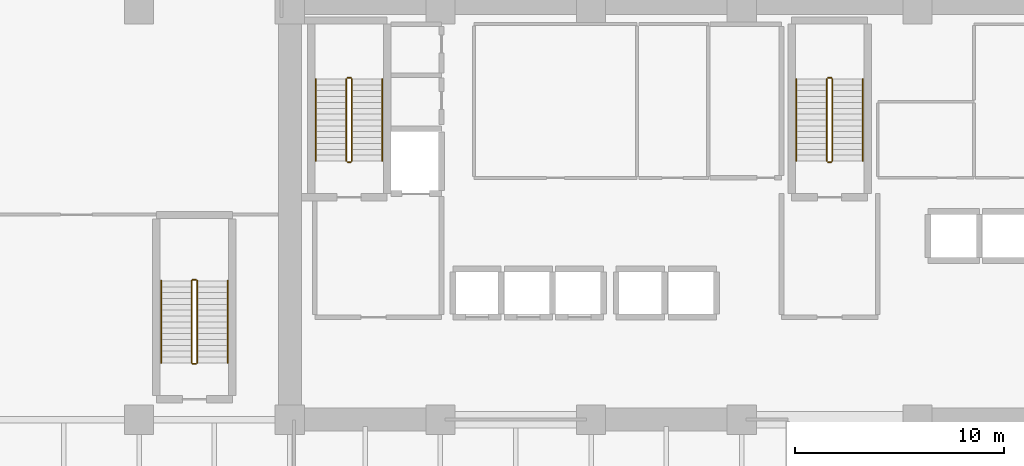
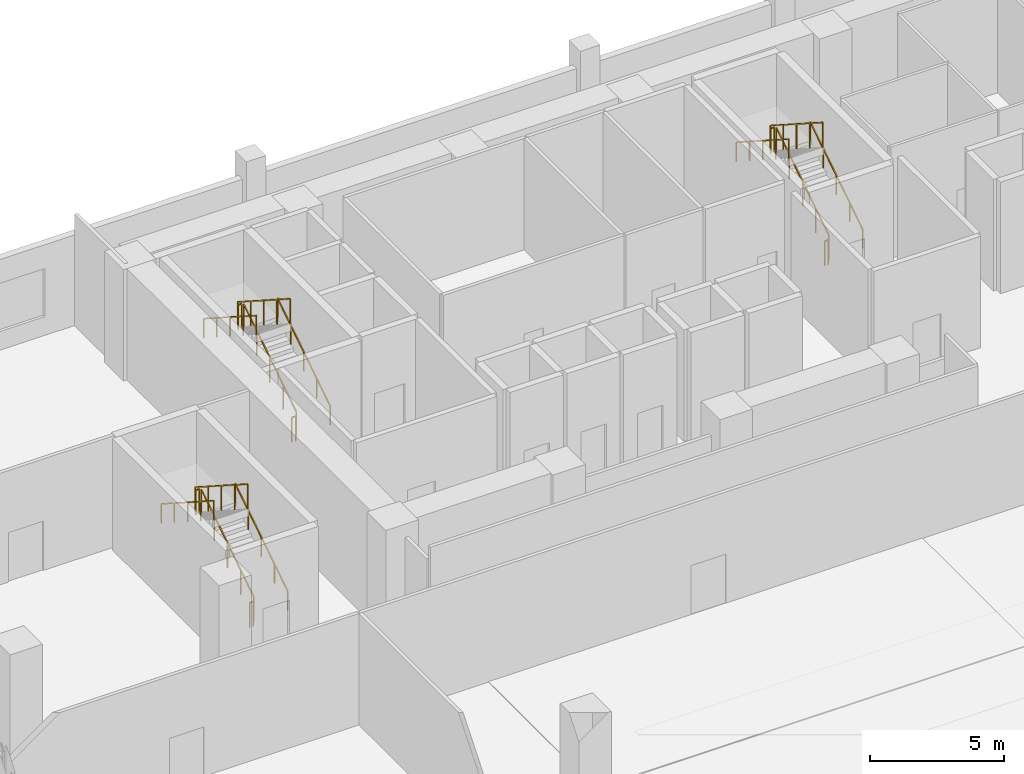
# One storey, part 24 of 25: 18 railings.
"""IFC4 building model written with IfcOpenShell, lengths in metres."""

from ifc_helpers import new_model, si_unit, direction, frame, origin, origin_2d, place, context, subcontext, project, spatial, rectangle, extrude, material, type_object, element, save


model = new_model("IFC4")

# Units and contexts
model_context = context("Model", 3, precision=1e-05, world=origin(), true_north=direction((0.0, 1.0)))
body_context = subcontext(model_context, "Body", "Model", "MODEL_VIEW")
ifc_project = project(units=[si_unit("LENGTHUNIT", "METRE"), si_unit("AREAUNIT", "SQUARE_METRE"), si_unit("VOLUMEUNIT", "CUBIC_METRE"), si_unit("PLANEANGLEUNIT", "RADIAN"), si_unit("MASSUNIT", "GRAM", prefix="KILO")], contexts=[model_context])

# Site, building, storey
site_placement = place(None, origin())
site = spatial("IfcSite", under=ifc_project, at=site_placement, CompositionType="ELEMENT")
building_placement = place(site_placement, origin())
building = spatial("IfcBuilding", under=site, at=building_placement, Name="Kaelvorn Grand Hotel", CompositionType="ELEMENT")
storey_placement = place(building_placement, frame((0.0, 0.0, 14.0)))
storey = spatial("IfcBuildingStorey", under=building, at=storey_placement, Name="L02", CompositionType="ELEMENT", Elevation=14.0)

# Railings
ifc_material = material(Name="Stainless Steel", Category="steel")
railing_type_1 = type_object("IfcRailingType", Name="RL-HANDRAIL-900", PredefinedType="HANDRAIL", material=ifc_material)
railing_1_placement = place(storey_placement, frame((20.6298828125, 41.760009765625, 0.179931640625)))
element("IfcRailing", 1, at=railing_1_placement, inside=storey, type_object=railing_type_1, Name="L02 ST1 stair handrail 1", PredefinedType="HANDRAIL", context=body_context, shape_type="SweptSolid", body=[
    extrude(rectangle(XDim=0.048095703125, YDim=0.048095703125, at=origin_2d()), frame((0.0, 0.0, 0.8759765625), z_axis=(0.0, 0.841171666519, 0.540768182723), x_axis=(-1.0, 0.0, 0.0)), (0.0, 0.0, 1.0), 4.66015625),
    extrude(rectangle(XDim=0.0419921875, YDim=0.0419921875, at=origin_2d()), origin(), (0.0, 0.0, 1.0), 0.851806640625),
    extrude(rectangle(XDim=0.0419921875, YDim=0.0419921875, at=origin_2d()), frame((0.0, 0.97998046875, 0.6298828125)), (0.0, 0.0, 1.0), 0.851806640625),
    extrude(rectangle(XDim=0.0419921875, YDim=0.0419921875, at=origin_2d()), frame((0.0, 1.9599609375, 1.260009765625)), (0.0, 0.0, 1.0), 0.851806640625),
    extrude(rectangle(XDim=0.0419921875, YDim=0.0419921875, at=origin_2d()), frame((0.0, 2.93994140625, 1.89013671875)), (0.0, 0.0, 1.0), 0.851806640625),
    extrude(rectangle(XDim=0.0419921875, YDim=0.0419921875, at=origin_2d()), frame((0.0, 3.919921875, 2.52001953125)), (0.0, 0.0, 1.0), 0.851806640625),
])
railing_2_placement = place(storey_placement, frame((17.449951171875, 45.679931640625, 2.8798828125)))
element("IfcRailing", 2, at=railing_2_placement, inside=storey, type_object=railing_type_1, Name="L02 ST1 stair handrail 2", PredefinedType="HANDRAIL", context=body_context, shape_type="SweptSolid", body=[
    extrude(rectangle(XDim=0.048095703125, YDim=0.048095703125, at=origin_2d()), frame((0.0, 0.0, 0.8759765625), z_axis=(0.0, -0.841171666519, 0.540768182723), x_axis=(1.0, 0.0, 0.0)), (0.0, 0.0, 1.0), 4.66015625),
    extrude(rectangle(XDim=0.0419921875, YDim=0.0419921875, at=origin_2d()), origin(), (0.0, 0.0, 1.0), 0.851806640625),
    extrude(rectangle(XDim=0.0419921875, YDim=0.0419921875, at=origin_2d()), frame((0.0, -0.97998046875, 0.6298828125)), (0.0, 0.0, 1.0), 0.851806640625),
    extrude(rectangle(XDim=0.0419921875, YDim=0.0419921875, at=origin_2d()), frame((0.0, -1.9599609375, 1.260009765625)), (0.0, 0.0, 1.0), 0.851806640625),
    extrude(rectangle(XDim=0.0419921875, YDim=0.0419921875, at=origin_2d()), frame((0.0, -2.93994140625, 1.89013671875)), (0.0, 0.0, 1.0), 0.851806640625),
    extrude(rectangle(XDim=0.0419921875, YDim=0.0419921875, at=origin_2d()), frame((0.0, -3.919921875, 2.52001953125)), (0.0, 0.0, 1.0), 0.851806640625),
])
railing_3_placement = place(storey_placement, frame((43.590087890625, 41.760009765625, 0.179931640625)))
element("IfcRailing", 3, at=railing_3_placement, inside=storey, type_object=railing_type_1, Name="L02 ST2 stair handrail 1", PredefinedType="HANDRAIL", context=body_context, shape_type="SweptSolid", body=[
    extrude(rectangle(XDim=0.048095703125, YDim=0.048095703125, at=origin_2d()), frame((0.0, 0.0, 0.8759765625), z_axis=(0.0, 0.841171666519, 0.540768182723), x_axis=(-1.0, 0.0, 0.0)), (0.0, 0.0, 1.0), 4.66015625),
    extrude(rectangle(XDim=0.0419921875, YDim=0.0419921875, at=origin_2d()), origin(), (0.0, 0.0, 1.0), 0.851806640625),
    extrude(rectangle(XDim=0.0419921875, YDim=0.0419921875, at=origin_2d()), frame((0.0, 0.97998046875, 0.6298828125)), (0.0, 0.0, 1.0), 0.851806640625),
    extrude(rectangle(XDim=0.0419921875, YDim=0.0419921875, at=origin_2d()), frame((0.0, 1.9599609375, 1.260009765625)), (0.0, 0.0, 1.0), 0.851806640625),
    extrude(rectangle(XDim=0.0419921875, YDim=0.0419921875, at=origin_2d()), frame((0.0, 2.93994140625, 1.89013671875)), (0.0, 0.0, 1.0), 0.851806640625),
    extrude(rectangle(XDim=0.0419921875, YDim=0.0419921875, at=origin_2d()), frame((0.0, 3.919921875, 2.52001953125)), (0.0, 0.0, 1.0), 0.851806640625),
])
railing_4_placement = place(storey_placement, frame((40.409912109375, 45.679931640625, 2.8798828125)))
element("IfcRailing", 4, at=railing_4_placement, inside=storey, type_object=railing_type_1, Name="L02 ST2 stair handrail 2", PredefinedType="HANDRAIL", context=body_context, shape_type="SweptSolid", body=[
    extrude(rectangle(XDim=0.048095703125, YDim=0.048095703125, at=origin_2d()), frame((0.0, 0.0, 0.8759765625), z_axis=(0.0, -0.841171666519, 0.540768182723), x_axis=(1.0, 0.0, 0.0)), (0.0, 0.0, 1.0), 4.66015625),
    extrude(rectangle(XDim=0.0419921875, YDim=0.0419921875, at=origin_2d()), origin(), (0.0, 0.0, 1.0), 0.851806640625),
    extrude(rectangle(XDim=0.0419921875, YDim=0.0419921875, at=origin_2d()), frame((0.0, -0.97998046875, 0.6298828125)), (0.0, 0.0, 1.0), 0.851806640625),
    extrude(rectangle(XDim=0.0419921875, YDim=0.0419921875, at=origin_2d()), frame((0.0, -1.9599609375, 1.260009765625)), (0.0, 0.0, 1.0), 0.851806640625),
    extrude(rectangle(XDim=0.0419921875, YDim=0.0419921875, at=origin_2d()), frame((0.0, -2.93994140625, 1.89013671875)), (0.0, 0.0, 1.0), 0.851806640625),
    extrude(rectangle(XDim=0.0419921875, YDim=0.0419921875, at=origin_2d()), frame((0.0, -3.919921875, 2.52001953125)), (0.0, 0.0, 1.0), 0.851806640625),
])
railing_5_placement = place(storey_placement, frame((13.22998046875, 32.110107421875, 0.179931640625)))
element("IfcRailing", 5, at=railing_5_placement, inside=storey, type_object=railing_type_1, Name="L02 ST4 stair handrail 1", PredefinedType="HANDRAIL", context=body_context, shape_type="SweptSolid", body=[
    extrude(rectangle(XDim=0.048095703125, YDim=0.048095703125, at=origin_2d()), frame((0.0, 0.0, 0.8759765625), z_axis=(0.0, 0.841171666519, 0.540768182723), x_axis=(-1.0, 0.0, 0.0)), (0.0, 0.0, 1.0), 4.66015625),
    extrude(rectangle(XDim=0.0419921875, YDim=0.0419921875, at=origin_2d()), origin(), (0.0, 0.0, 1.0), 0.851806640625),
    extrude(rectangle(XDim=0.0419921875, YDim=0.0419921875, at=origin_2d()), frame((0.0, 0.97998046875, 0.6298828125)), (0.0, 0.0, 1.0), 0.851806640625),
    extrude(rectangle(XDim=0.0419921875, YDim=0.0419921875, at=origin_2d()), frame((0.0, 1.9599609375, 1.260009765625)), (0.0, 0.0, 1.0), 0.851806640625),
    extrude(rectangle(XDim=0.0419921875, YDim=0.0419921875, at=origin_2d()), frame((0.0, 2.93994140625, 1.89013671875)), (0.0, 0.0, 1.0), 0.851806640625),
    extrude(rectangle(XDim=0.0419921875, YDim=0.0419921875, at=origin_2d()), frame((0.0, 3.919921875, 2.52001953125)), (0.0, 0.0, 1.0), 0.851806640625),
])
railing_6_placement = place(storey_placement, frame((10.050048828125, 36.030029296875, 2.8798828125)))
element("IfcRailing", 6, at=railing_6_placement, inside=storey, type_object=railing_type_1, Name="L02 ST4 stair handrail 2", PredefinedType="HANDRAIL", context=body_context, shape_type="SweptSolid", body=[
    extrude(rectangle(XDim=0.048095703125, YDim=0.048095703125, at=origin_2d()), frame((0.0, 0.0, 0.8759765625), z_axis=(0.0, -0.841171666519, 0.540768182723), x_axis=(1.0, 0.0, 0.0)), (0.0, 0.0, 1.0), 4.66015625),
    extrude(rectangle(XDim=0.0419921875, YDim=0.0419921875, at=origin_2d()), origin(), (0.0, 0.0, 1.0), 0.851806640625),
    extrude(rectangle(XDim=0.0419921875, YDim=0.0419921875, at=origin_2d()), frame((0.0, -0.97998046875, 0.6298828125)), (0.0, 0.0, 1.0), 0.851806640625),
    extrude(rectangle(XDim=0.0419921875, YDim=0.0419921875, at=origin_2d()), frame((0.0, -1.9599609375, 1.260009765625)), (0.0, 0.0, 1.0), 0.851806640625),
    extrude(rectangle(XDim=0.0419921875, YDim=0.0419921875, at=origin_2d()), frame((0.0, -2.93994140625, 1.89013671875)), (0.0, 0.0, 1.0), 0.851806640625),
    extrude(rectangle(XDim=0.0419921875, YDim=0.0419921875, at=origin_2d()), frame((0.0, -3.919921875, 2.52001953125)), (0.0, 0.0, 1.0), 0.851806640625),
])
railing_type_2 = type_object("IfcRailingType", Name="RL-STAIR-GUARD-1150", PredefinedType="BALUSTRADE", material=ifc_material)
railing_7_placement = place(storey_placement, frame((19.169921875, 41.760009765625, 0.179931640625)))
element("IfcRailing", 7, at=railing_7_placement, inside=storey, type_object=railing_type_2, Name="L02 ST1 stair guard 1", PredefinedType="BALUSTRADE", context=body_context, shape_type="SweptSolid", body=[
    extrude(rectangle(XDim=0.048095703125, YDim=0.048095703125, at=origin_2d()), frame((0.0, 0.0, 1.1259765625), z_axis=(0.0, 0.841171666519, 0.540768182723), x_axis=(-1.0, 0.0, 0.0)), (0.0, 0.0, 1.0), 4.66015625),
    extrude(rectangle(XDim=0.0419921875, YDim=0.0419921875, at=origin_2d()), origin(), (0.0, 0.0, 1.0), 1.101806640625),
    extrude(rectangle(XDim=0.0419921875, YDim=0.0419921875, at=origin_2d()), frame((0.0, 0.97998046875, 0.6298828125)), (0.0, 0.0, 1.0), 1.101806640625),
    extrude(rectangle(XDim=0.0419921875, YDim=0.0419921875, at=origin_2d()), frame((0.0, 1.9599609375, 1.260009765625)), (0.0, 0.0, 1.0), 1.101806640625),
    extrude(rectangle(XDim=0.0419921875, YDim=0.0419921875, at=origin_2d()), frame((0.0, 2.93994140625, 1.89013671875)), (0.0, 0.0, 1.0), 1.101806640625),
    extrude(rectangle(XDim=0.0419921875, YDim=0.0419921875, at=origin_2d()), frame((0.0, 3.919921875, 2.52001953125)), (0.0, 0.0, 1.0), 1.101806640625),
])
railing_8_placement = place(storey_placement, frame((19.1201171875, 45.72998046875, 2.699951171875)))
element("IfcRailing", 8, at=railing_8_placement, inside=storey, type_object=railing_type_2, Name="L02 ST1 stair guard 2", PredefinedType="BALUSTRADE", context=body_context, shape_type="SweptSolid", body=[
    extrude(rectangle(XDim=0.048095703125, YDim=0.048095703125, at=origin_2d()), frame((0.0, 0.0, 1.1259765625), z_axis=(-1.0, 0.0, 0.0), x_axis=(0.0, -1.0, 0.0)), (0.0, 0.0, 1.0), 0.16015625),
    extrude(rectangle(XDim=0.0419921875, YDim=0.0419921875, at=origin_2d()), origin(), (0.0, 0.0, 1.0), 1.101806640625),
    extrude(rectangle(XDim=0.0419921875, YDim=0.0419921875, at=origin_2d()), frame((-0.16015625, 0.0, 0.0)), (0.0, 0.0, 1.0), 1.101806640625),
])
railing_9_placement = place(storey_placement, frame((18.909912109375, 45.679931640625, 2.8798828125)))
element("IfcRailing", 9, at=railing_9_placement, inside=storey, type_object=railing_type_2, Name="L02 ST1 stair guard 3", PredefinedType="BALUSTRADE", context=body_context, shape_type="SweptSolid", body=[
    extrude(rectangle(XDim=0.048095703125, YDim=0.048095703125, at=origin_2d()), frame((0.0, 0.0, 1.1259765625), z_axis=(0.0, -0.841171666519, 0.540768182723), x_axis=(1.0, 0.0, 0.0)), (0.0, 0.0, 1.0), 4.66015625),
    extrude(rectangle(XDim=0.0419921875, YDim=0.0419921875, at=origin_2d()), origin(), (0.0, 0.0, 1.0), 1.101806640625),
    extrude(rectangle(XDim=0.0419921875, YDim=0.0419921875, at=origin_2d()), frame((0.0, -0.97998046875, 0.6298828125)), (0.0, 0.0, 1.0), 1.101806640625),
    extrude(rectangle(XDim=0.0419921875, YDim=0.0419921875, at=origin_2d()), frame((0.0, -1.9599609375, 1.260009765625)), (0.0, 0.0, 1.0), 1.101806640625),
    extrude(rectangle(XDim=0.0419921875, YDim=0.0419921875, at=origin_2d()), frame((0.0, -2.93994140625, 1.89013671875)), (0.0, 0.0, 1.0), 1.101806640625),
    extrude(rectangle(XDim=0.0419921875, YDim=0.0419921875, at=origin_2d()), frame((0.0, -3.919921875, 2.52001953125)), (0.0, 0.0, 1.0), 1.101806640625),
])
railing_10_placement = place(storey_placement, frame((19.1201171875, 41.7099609375, 0.0)))
element("IfcRailing", 10, at=railing_10_placement, inside=storey, type_object=railing_type_2, Name="L02 ST1 stair guard 4", PredefinedType="BALUSTRADE", context=body_context, shape_type="SweptSolid", body=[
    extrude(rectangle(XDim=0.048095703125, YDim=0.048095703125, at=origin_2d()), frame((0.0, 0.0, 1.1259765625), z_axis=(-1.0, 0.0, 0.0), x_axis=(0.0, -1.0, 0.0)), (0.0, 0.0, 1.0), 0.16015625),
    extrude(rectangle(XDim=0.0419921875, YDim=0.0419921875, at=origin_2d()), origin(), (0.0, 0.0, 1.0), 1.101806640625),
    extrude(rectangle(XDim=0.0419921875, YDim=0.0419921875, at=origin_2d()), frame((-0.16015625, 0.0, 0.0)), (0.0, 0.0, 1.0), 1.101806640625),
])
railing_11_placement = place(storey_placement, frame((42.1298828125, 41.760009765625, 0.179931640625)))
element("IfcRailing", 11, at=railing_11_placement, inside=storey, type_object=railing_type_2, Name="L02 ST2 stair guard 1", PredefinedType="BALUSTRADE", context=body_context, shape_type="SweptSolid", body=[
    extrude(rectangle(XDim=0.048095703125, YDim=0.048095703125, at=origin_2d()), frame((0.0, 0.0, 1.1259765625), z_axis=(0.0, 0.841171666519, 0.540768182723), x_axis=(-1.0, 0.0, 0.0)), (0.0, 0.0, 1.0), 4.66015625),
    extrude(rectangle(XDim=0.0419921875, YDim=0.0419921875, at=origin_2d()), origin(), (0.0, 0.0, 1.0), 1.101806640625),
    extrude(rectangle(XDim=0.0419921875, YDim=0.0419921875, at=origin_2d()), frame((0.0, 0.97998046875, 0.6298828125)), (0.0, 0.0, 1.0), 1.101806640625),
    extrude(rectangle(XDim=0.0419921875, YDim=0.0419921875, at=origin_2d()), frame((0.0, 1.9599609375, 1.260009765625)), (0.0, 0.0, 1.0), 1.101806640625),
    extrude(rectangle(XDim=0.0419921875, YDim=0.0419921875, at=origin_2d()), frame((0.0, 2.93994140625, 1.89013671875)), (0.0, 0.0, 1.0), 1.101806640625),
    extrude(rectangle(XDim=0.0419921875, YDim=0.0419921875, at=origin_2d()), frame((0.0, 3.919921875, 2.52001953125)), (0.0, 0.0, 1.0), 1.101806640625),
])
railing_12_placement = place(storey_placement, frame((42.080078125, 45.72998046875, 2.699951171875)))
element("IfcRailing", 12, at=railing_12_placement, inside=storey, type_object=railing_type_2, Name="L02 ST2 stair guard 2", PredefinedType="BALUSTRADE", context=body_context, shape_type="SweptSolid", body=[
    extrude(rectangle(XDim=0.048095703125, YDim=0.048095703125, at=origin_2d()), frame((0.0, 0.0, 1.1259765625), z_axis=(-1.0, 0.0, 0.0), x_axis=(0.0, -1.0, 0.0)), (0.0, 0.0, 1.0), 0.16015625),
    extrude(rectangle(XDim=0.0419921875, YDim=0.0419921875, at=origin_2d()), origin(), (0.0, 0.0, 1.0), 1.101806640625),
    extrude(rectangle(XDim=0.0419921875, YDim=0.0419921875, at=origin_2d()), frame((-0.16015625, 0.0, 0.0)), (0.0, 0.0, 1.0), 1.101806640625),
])
railing_13_placement = place(storey_placement, frame((41.8701171875, 45.679931640625, 2.8798828125)))
element("IfcRailing", 13, at=railing_13_placement, inside=storey, type_object=railing_type_2, Name="L02 ST2 stair guard 3", PredefinedType="BALUSTRADE", context=body_context, shape_type="SweptSolid", body=[
    extrude(rectangle(XDim=0.048095703125, YDim=0.048095703125, at=origin_2d()), frame((0.0, 0.0, 1.1259765625), z_axis=(0.0, -0.841171666519, 0.540768182723), x_axis=(1.0, 0.0, 0.0)), (0.0, 0.0, 1.0), 4.66015625),
    extrude(rectangle(XDim=0.0419921875, YDim=0.0419921875, at=origin_2d()), origin(), (0.0, 0.0, 1.0), 1.101806640625),
    extrude(rectangle(XDim=0.0419921875, YDim=0.0419921875, at=origin_2d()), frame((0.0, -0.97998046875, 0.6298828125)), (0.0, 0.0, 1.0), 1.101806640625),
    extrude(rectangle(XDim=0.0419921875, YDim=0.0419921875, at=origin_2d()), frame((0.0, -1.9599609375, 1.260009765625)), (0.0, 0.0, 1.0), 1.101806640625),
    extrude(rectangle(XDim=0.0419921875, YDim=0.0419921875, at=origin_2d()), frame((0.0, -2.93994140625, 1.89013671875)), (0.0, 0.0, 1.0), 1.101806640625),
    extrude(rectangle(XDim=0.0419921875, YDim=0.0419921875, at=origin_2d()), frame((0.0, -3.919921875, 2.52001953125)), (0.0, 0.0, 1.0), 1.101806640625),
])
railing_14_placement = place(storey_placement, frame((42.080078125, 41.7099609375, 0.0)))
element("IfcRailing", 14, at=railing_14_placement, inside=storey, type_object=railing_type_2, Name="L02 ST2 stair guard 4", PredefinedType="BALUSTRADE", context=body_context, shape_type="SweptSolid", body=[
    extrude(rectangle(XDim=0.048095703125, YDim=0.048095703125, at=origin_2d()), frame((0.0, 0.0, 1.1259765625), z_axis=(-1.0, 0.0, 0.0), x_axis=(0.0, -1.0, 0.0)), (0.0, 0.0, 1.0), 0.16015625),
    extrude(rectangle(XDim=0.0419921875, YDim=0.0419921875, at=origin_2d()), origin(), (0.0, 0.0, 1.0), 1.101806640625),
    extrude(rectangle(XDim=0.0419921875, YDim=0.0419921875, at=origin_2d()), frame((-0.16015625, 0.0, 0.0)), (0.0, 0.0, 1.0), 1.101806640625),
])
railing_15_placement = place(storey_placement, frame((11.77001953125, 32.110107421875, 0.179931640625)))
element("IfcRailing", 15, at=railing_15_placement, inside=storey, type_object=railing_type_2, Name="L02 ST4 stair guard 1", PredefinedType="BALUSTRADE", context=body_context, shape_type="SweptSolid", body=[
    extrude(rectangle(XDim=0.048095703125, YDim=0.048095703125, at=origin_2d()), frame((0.0, 0.0, 1.1259765625), z_axis=(0.0, 0.841171666519, 0.540768182723), x_axis=(-1.0, 0.0, 0.0)), (0.0, 0.0, 1.0), 4.66015625),
    extrude(rectangle(XDim=0.0419921875, YDim=0.0419921875, at=origin_2d()), origin(), (0.0, 0.0, 1.0), 1.101806640625),
    extrude(rectangle(XDim=0.0419921875, YDim=0.0419921875, at=origin_2d()), frame((0.0, 0.97998046875, 0.6298828125)), (0.0, 0.0, 1.0), 1.101806640625),
    extrude(rectangle(XDim=0.0419921875, YDim=0.0419921875, at=origin_2d()), frame((0.0, 1.9599609375, 1.260009765625)), (0.0, 0.0, 1.0), 1.101806640625),
    extrude(rectangle(XDim=0.0419921875, YDim=0.0419921875, at=origin_2d()), frame((0.0, 2.93994140625, 1.89013671875)), (0.0, 0.0, 1.0), 1.101806640625),
    extrude(rectangle(XDim=0.0419921875, YDim=0.0419921875, at=origin_2d()), frame((0.0, 3.919921875, 2.52001953125)), (0.0, 0.0, 1.0), 1.101806640625),
])
railing_16_placement = place(storey_placement, frame((11.719970703125, 36.080078125, 2.699951171875)))
element("IfcRailing", 16, at=railing_16_placement, inside=storey, type_object=railing_type_2, Name="L02 ST4 stair guard 2", PredefinedType="BALUSTRADE", context=body_context, shape_type="SweptSolid", body=[
    extrude(rectangle(XDim=0.048095703125, YDim=0.048095703125, at=origin_2d()), frame((0.0, 0.0, 1.1259765625), z_axis=(-1.0, 0.0, 0.0), x_axis=(0.0, -1.0, 0.0)), (0.0, 0.0, 1.0), 0.159912109375),
    extrude(rectangle(XDim=0.0419921875, YDim=0.0419921875, at=origin_2d()), origin(), (0.0, 0.0, 1.0), 1.101806640625),
    extrude(rectangle(XDim=0.0419921875, YDim=0.0419921875, at=origin_2d()), frame((-0.159912109375, 0.0, 0.0)), (0.0, 0.0, 1.0), 1.101806640625),
])
railing_17_placement = place(storey_placement, frame((11.510009765625, 36.030029296875, 2.8798828125)))
element("IfcRailing", 17, at=railing_17_placement, inside=storey, type_object=railing_type_2, Name="L02 ST4 stair guard 3", PredefinedType="BALUSTRADE", context=body_context, shape_type="SweptSolid", body=[
    extrude(rectangle(XDim=0.048095703125, YDim=0.048095703125, at=origin_2d()), frame((0.0, 0.0, 1.1259765625), z_axis=(0.0, -0.841171666519, 0.540768182723), x_axis=(1.0, 0.0, 0.0)), (0.0, 0.0, 1.0), 4.66015625),
    extrude(rectangle(XDim=0.0419921875, YDim=0.0419921875, at=origin_2d()), origin(), (0.0, 0.0, 1.0), 1.101806640625),
    extrude(rectangle(XDim=0.0419921875, YDim=0.0419921875, at=origin_2d()), frame((0.0, -0.97998046875, 0.6298828125)), (0.0, 0.0, 1.0), 1.101806640625),
    extrude(rectangle(XDim=0.0419921875, YDim=0.0419921875, at=origin_2d()), frame((0.0, -1.9599609375, 1.260009765625)), (0.0, 0.0, 1.0), 1.101806640625),
    extrude(rectangle(XDim=0.0419921875, YDim=0.0419921875, at=origin_2d()), frame((0.0, -2.93994140625, 1.89013671875)), (0.0, 0.0, 1.0), 1.101806640625),
    extrude(rectangle(XDim=0.0419921875, YDim=0.0419921875, at=origin_2d()), frame((0.0, -3.919921875, 2.52001953125)), (0.0, 0.0, 1.0), 1.101806640625),
])
railing_18_placement = place(storey_placement, frame((11.719970703125, 32.06005859375, 0.0)))
element("IfcRailing", 18, at=railing_18_placement, inside=storey, type_object=railing_type_2, Name="L02 ST4 stair guard 4", PredefinedType="BALUSTRADE", context=body_context, shape_type="SweptSolid", body=[
    extrude(rectangle(XDim=0.048095703125, YDim=0.048095703125, at=origin_2d()), frame((0.0, 0.0, 1.1259765625), z_axis=(-1.0, 0.0, 0.0), x_axis=(0.0, -1.0, 0.0)), (0.0, 0.0, 1.0), 0.159912109375),
    extrude(rectangle(XDim=0.0419921875, YDim=0.0419921875, at=origin_2d()), origin(), (0.0, 0.0, 1.0), 1.101806640625),
    extrude(rectangle(XDim=0.0419921875, YDim=0.0419921875, at=origin_2d()), frame((-0.159912109375, 0.0, 0.0)), (0.0, 0.0, 1.0), 1.101806640625),
])

save(model, "model.ifc")
